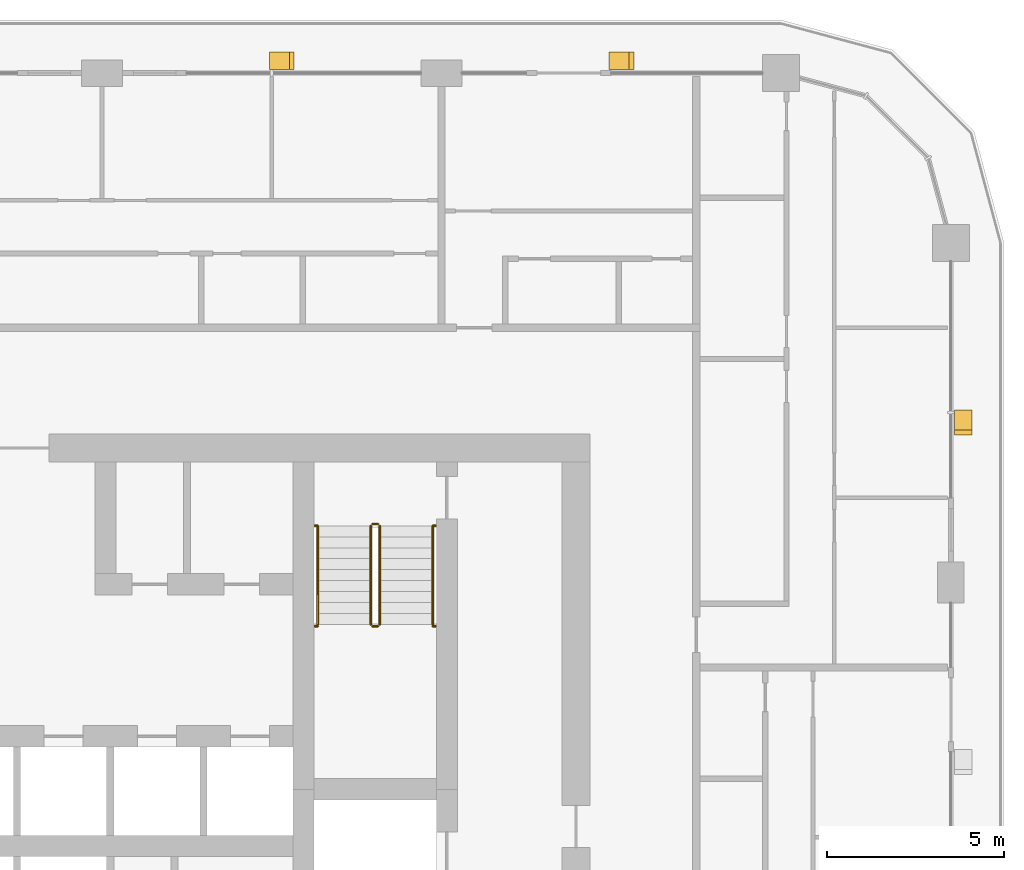
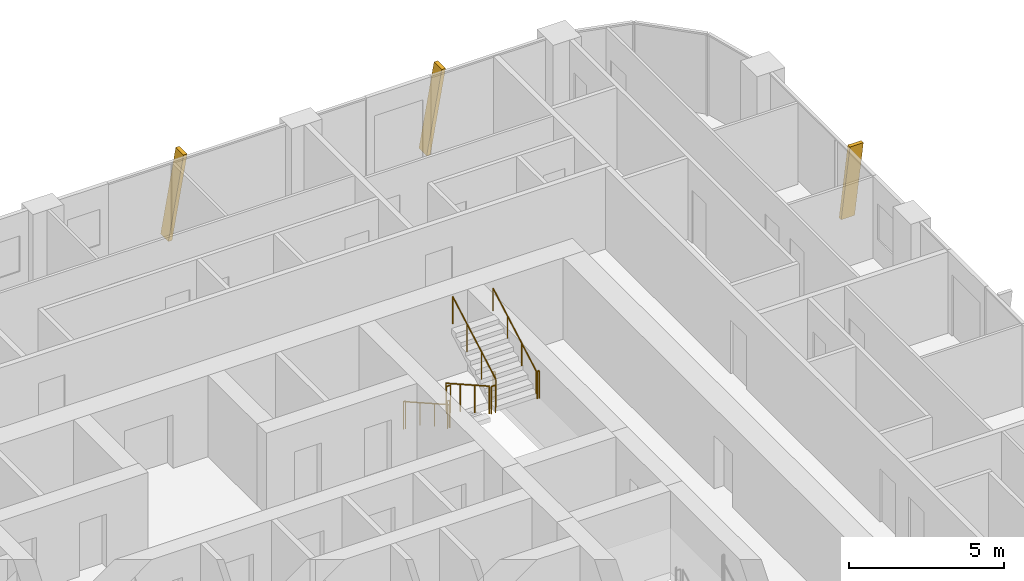
# One storey, part 22 of 22: 10 railings, 3 shading devices.
"""IFC4 building model written with IfcOpenShell, lengths in metres."""

from ifc_helpers import new_model, si_unit, direction, frame, origin, origin_2d, place, context, subcontext, project, spatial, polyline, circle, outline, extrude, material, type_object, element, save


model = new_model("IFC4")

# Units and contexts
model_context = context("Model", 3, precision=1e-05, world=origin(), true_north=direction((0.0, 1.0)))
body_context = subcontext(model_context, "Body", "Model", "MODEL_VIEW")
ifc_project = project(units=[si_unit("LENGTHUNIT", "METRE"), si_unit("AREAUNIT", "SQUARE_METRE"), si_unit("VOLUMEUNIT", "CUBIC_METRE"), si_unit("PLANEANGLEUNIT", "RADIAN"), si_unit("MASSUNIT", "GRAM", prefix="KILO")], contexts=[model_context])

# Site, building, storey
site_placement = place(None, origin())
site = spatial("IfcSite", under=ifc_project, at=site_placement, CompositionType="ELEMENT")
building_placement = place(site_placement, origin())
building = spatial("IfcBuilding", under=site, at=building_placement, Name="Madar Terraces", CompositionType="ELEMENT")
storey_placement = place(building_placement, frame((0.0, 0.0, 166.5)))
storey = spatial("IfcBuildingStorey", under=building, at=storey_placement, Name="L43", CompositionType="ELEMENT", Elevation=166.5)

# Shading devices
ifc_material_1 = material(Name="Aluminium, black anodised", Category="aluminium")
shading_device_type = type_object("IfcShadingDeviceType", Name="Facade fin blade 140 x 500", PredefinedType="USERDEFINED", material=ifc_material_1)
shading_device_1_placement = place(storey_placement, frame((57.949951171875, 38.330078125, 0.0), z_axis=(0.0, 0.0, 1.0), x_axis=(0.0, 1.0, 0.0)))
element("IfcShadingDevice", 1, at=shading_device_1_placement, inside=storey, type_object=shading_device_type, Name="FIN L43 E4", ObjectType="FIN", PredefinedType="USERDEFINED", context=body_context, shape_type="SweptSolid", body=[
    extrude(outline(polyline([(0.0, 0.0), (0.139892578125, 0.0), (-0.42431640625, 3.199951171875), (-0.564208984375, 3.199951171875), (0.0, 0.0)])), frame((0.0, 0.25, 0.0), z_axis=(0.0, -1.0, 0.0), x_axis=(1.0, 0.0, 0.0)), (0.0, 0.0, 1.0), 0.5),
])
shading_device_2_placement = place(storey_placement, frame((48.070068359375, 48.35009765625, 0.0), z_axis=(0.0, 0.0, 1.0), x_axis=(-1.0, 0.0, 0.0)))
element("IfcShadingDevice", 2, at=shading_device_2_placement, inside=storey, type_object=shading_device_type, Name="FIN L43 N1", ObjectType="FIN", PredefinedType="USERDEFINED", context=body_context, shape_type="SweptSolid", body=[
    extrude(outline(polyline([(0.0, 0.0), (0.14013671875, 0.0), (-0.42431640625, 3.199951171875), (-0.564208984375, 3.199951171875), (0.0, 0.0)])), frame((0.0, 0.25, 0.0), z_axis=(0.0, -1.0, 0.0), x_axis=(1.0, 0.0, 0.0)), (0.0, 0.0, 1.0), 0.5),
])
shading_device_3_placement = place(storey_placement, frame((38.469970703125, 48.35009765625, 0.0), z_axis=(0.0, 0.0, 1.0), x_axis=(-1.0, 0.0, 0.0)))
element("IfcShadingDevice", 3, at=shading_device_3_placement, inside=storey, type_object=shading_device_type, Name="FIN L43 N2", ObjectType="FIN", PredefinedType="USERDEFINED", context=body_context, shape_type="SweptSolid", body=[
    extrude(outline(polyline([(0.0, 0.0), (0.139892578125, 0.0), (-0.42431640625, 3.199951171875), (-0.564208984375, 3.199951171875), (0.0, 0.0)])), frame((0.0, 0.25, 0.0), z_axis=(0.0, -1.0, 0.0), x_axis=(1.0, 0.0, 0.0)), (0.0, 0.0, 1.0), 0.5),
])

# Railings
ifc_material_2 = material(Name="Stainless steel railing", Category="steel")
railing_type_1 = type_object("IfcRailingType", Name="Stair guard 1100", PredefinedType="GUARDRAIL", material=ifc_material_2)
railing_1_placement = place(storey_placement, frame((41.199951171875, 35.199951171875, 0.175048828125)))
element("IfcRailing", 4, at=railing_1_placement, inside=storey, type_object=railing_type_1, Name="L43 ST2 stair guard 1", PredefinedType="GUARDRAIL", context=body_context, shape_type="SweptSolid", body=[
    extrude(circle(Radius=0.02392578125, at=origin_2d()), frame((0.0, 0.0, 1.076171875), z_axis=(0.0, -0.870833779661, 0.491577591232), x_axis=(1.0, 0.0, 0.0)), (0.0, 0.0, 1.0), 3.203857421875),
    extrude(circle(Radius=0.02099609375, at=origin_2d()), origin(), (0.0, 0.0, 1.0), 1.052001953125),
    extrude(circle(Radius=0.02099609375, at=origin_2d()), frame((0.0, -0.929931640625, 0.52490234375)), (0.0, 0.0, 1.0), 1.052001953125),
    extrude(circle(Radius=0.02099609375, at=origin_2d()), frame((0.0, -1.860107421875, 1.050048828125)), (0.0, 0.0, 1.0), 1.052001953125),
    extrude(circle(Radius=0.02099609375, at=origin_2d()), frame((0.0, -2.7900390625, 1.574951171875)), (0.0, 0.0, 1.0), 1.052001953125),
])
railing_2_placement = place(storey_placement, frame((41.25, 32.360107421875, 1.75)))
element("IfcRailing", 5, at=railing_2_placement, inside=storey, type_object=railing_type_1, Name="L43 ST2 stair guard 2", PredefinedType="GUARDRAIL", context=body_context, shape_type="SweptSolid", body=[
    extrude(circle(Radius=0.02392578125, at=origin_2d()), frame((0.0, 0.0, 1.076171875), z_axis=(1.0, 0.0, 0.0), x_axis=(0.0, 1.0, 0.0)), (0.0, 0.0, 1.0), 0.14990234375),
    extrude(circle(Radius=0.02099609375, at=origin_2d()), origin(), (0.0, 0.0, 1.0), 1.052001953125),
    extrude(circle(Radius=0.02099609375, at=origin_2d()), frame((0.14990234375, 0.0, 0.0)), (0.0, 0.0, 1.0), 1.052001953125),
])
railing_3_placement = place(storey_placement, frame((41.449951171875, 32.409912109375, 1.925048828125)))
element("IfcRailing", 6, at=railing_3_placement, inside=storey, type_object=railing_type_1, Name="L43 ST2 stair guard 3", PredefinedType="GUARDRAIL", context=body_context, shape_type="SweptSolid", body=[
    extrude(circle(Radius=0.02392578125, at=origin_2d()), frame((0.0, 0.0, 1.076171875), z_axis=(0.0, 0.870833779661, 0.491577591232), x_axis=(-1.0, 0.0, 0.0)), (0.0, 0.0, 1.0), 3.203857421875),
    extrude(circle(Radius=0.02099609375, at=origin_2d()), origin(), (0.0, 0.0, 1.0), 1.052001953125),
    extrude(circle(Radius=0.02099609375, at=origin_2d()), frame((0.0, 0.929931640625, 0.52490234375)), (0.0, 0.0, 1.0), 1.052001953125),
    extrude(circle(Radius=0.02099609375, at=origin_2d()), frame((0.0, 1.860107421875, 1.050048828125)), (0.0, 0.0, 1.0), 1.052001953125),
    extrude(circle(Radius=0.02099609375, at=origin_2d()), frame((0.0, 2.7900390625, 1.574951171875)), (0.0, 0.0, 1.0), 1.052001953125),
])
railing_4_placement = place(storey_placement, frame((41.25, 35.25, 0.0)))
element("IfcRailing", 7, at=railing_4_placement, inside=storey, type_object=railing_type_1, Name="L43 ST2 stair guard 4", PredefinedType="GUARDRAIL", context=body_context, shape_type="SweptSolid", body=[
    extrude(circle(Radius=0.02392578125, at=origin_2d()), frame((0.0, 0.0, 1.076171875), z_axis=(1.0, 0.0, 0.0), x_axis=(0.0, 1.0, 0.0)), (0.0, 0.0, 1.0), 0.14990234375),
    extrude(circle(Radius=0.02099609375, at=origin_2d()), origin(), (0.0, 0.0, 1.0), 1.052001953125),
    extrude(circle(Radius=0.02099609375, at=origin_2d()), frame((0.14990234375, 0.0, 0.0)), (0.0, 0.0, 1.0), 1.052001953125),
])
railing_5_placement = place(storey_placement, frame((39.6201171875, 32.360107421875, 1.75)))
element("IfcRailing", 8, at=railing_5_placement, inside=storey, type_object=railing_type_1, Name="L43 stair guard seat 1", PredefinedType="GUARDRAIL", context=body_context, shape_type="SweptSolid", body=[
    extrude(circle(Radius=0.02392578125, at=origin_2d()), frame((0.0, 0.0, 1.076171875), z_axis=(1.0, 0.0, 0.0), x_axis=(0.0, 1.0, 0.0)), (0.0, 0.0, 1.0), 0.079833984375),
    extrude(circle(Radius=0.02099609375, at=origin_2d()), origin(), (0.0, 0.0, 1.0), 1.052001953125),
    extrude(circle(Radius=0.02099609375, at=origin_2d()), frame((0.079833984375, 0.0, 0.0)), (0.0, 0.0, 1.0), 1.052001953125),
])
railing_6_placement = place(storey_placement, frame((42.949951171875, 32.360107421875, 1.75)))
element("IfcRailing", 9, at=railing_6_placement, inside=storey, type_object=railing_type_1, Name="L43 stair guard seat 2", PredefinedType="GUARDRAIL", context=body_context, shape_type="SweptSolid", body=[
    extrude(circle(Radius=0.02392578125, at=origin_2d()), frame((0.0, 0.0, 1.076171875), z_axis=(1.0, 0.0, 0.0), x_axis=(0.0, 1.0, 0.0)), (0.0, 0.0, 1.0), 0.080078125),
    extrude(circle(Radius=0.02099609375, at=origin_2d()), origin(), (0.0, 0.0, 1.0), 1.052001953125),
    extrude(circle(Radius=0.02099609375, at=origin_2d()), frame((0.080078125, 0.0, 0.0)), (0.0, 0.0, 1.0), 1.052001953125),
])
railing_7_placement = place(storey_placement, frame((39.6201171875, 35.199951171875, 0.0)))
element("IfcRailing", 10, at=railing_7_placement, inside=storey, type_object=railing_type_1, Name="L43 stair guard floor 1", PredefinedType="GUARDRAIL", context=body_context, shape_type="SweptSolid", body=[
    extrude(circle(Radius=0.02392578125, at=origin_2d()), frame((0.0, 0.0, 1.076171875), z_axis=(1.0, 0.0, 0.0), x_axis=(0.0, 1.0, 0.0)), (0.0, 0.0, 1.0), 0.079833984375),
    extrude(circle(Radius=0.02099609375, at=origin_2d()), origin(), (0.0, 0.0, 1.0), 1.052001953125),
    extrude(circle(Radius=0.02099609375, at=origin_2d()), frame((0.079833984375, 0.0, 0.0)), (0.0, 0.0, 1.0), 1.052001953125),
])
railing_8_placement = place(storey_placement, frame((42.949951171875, 35.199951171875, 0.0)))
element("IfcRailing", 11, at=railing_8_placement, inside=storey, type_object=railing_type_1, Name="L43 stair guard floor 2", PredefinedType="GUARDRAIL", context=body_context, shape_type="SweptSolid", body=[
    extrude(circle(Radius=0.02392578125, at=origin_2d()), frame((0.0, 0.0, 1.076171875), z_axis=(1.0, 0.0, 0.0), x_axis=(0.0, 1.0, 0.0)), (0.0, 0.0, 1.0), 0.080078125),
    extrude(circle(Radius=0.02099609375, at=origin_2d()), origin(), (0.0, 0.0, 1.0), 1.052001953125),
    extrude(circle(Radius=0.02099609375, at=origin_2d()), frame((0.080078125, 0.0, 0.0)), (0.0, 0.0, 1.0), 1.052001953125),
])
ifc_material_3 = material(Name="Stainless steel railing", Category="steel")
railing_type_2 = type_object("IfcRailingType", Name="Stair handrail 900", PredefinedType="HANDRAIL", material=ifc_material_3)
railing_9_placement = place(storey_placement, frame((39.699951171875, 35.199951171875, 0.175048828125)))
element("IfcRailing", 12, at=railing_9_placement, inside=storey, type_object=railing_type_2, Name="L43 ST2 stair handrail 1", PredefinedType="HANDRAIL", context=body_context, shape_type="SweptSolid", body=[
    extrude(circle(Radius=0.02392578125, at=origin_2d()), frame((0.0, 0.0, 0.8759765625), z_axis=(0.0, -0.870833779661, 0.491577591232), x_axis=(1.0, 0.0, 0.0)), (0.0, 0.0, 1.0), 3.203857421875),
    extrude(circle(Radius=0.02099609375, at=origin_2d()), origin(), (0.0, 0.0, 1.0), 0.851806640625),
    extrude(circle(Radius=0.02099609375, at=origin_2d()), frame((0.0, -0.929931640625, 0.52490234375)), (0.0, 0.0, 1.0), 0.851806640625),
    extrude(circle(Radius=0.02099609375, at=origin_2d()), frame((0.0, -1.860107421875, 1.050048828125)), (0.0, 0.0, 1.0), 0.851806640625),
    extrude(circle(Radius=0.02099609375, at=origin_2d()), frame((0.0, -2.7900390625, 1.574951171875)), (0.0, 0.0, 1.0), 0.851806640625),
])
railing_10_placement = place(storey_placement, frame((42.949951171875, 32.409912109375, 1.925048828125)))
element("IfcRailing", 13, at=railing_10_placement, inside=storey, type_object=railing_type_2, Name="L43 ST2 stair handrail 2", PredefinedType="HANDRAIL", context=body_context, shape_type="SweptSolid", body=[
    extrude(circle(Radius=0.02392578125, at=origin_2d()), frame((0.0, 0.0, 0.8759765625), z_axis=(0.0, 0.870833779661, 0.491577591232), x_axis=(-1.0, 0.0, 0.0)), (0.0, 0.0, 1.0), 3.203857421875),
    extrude(circle(Radius=0.02099609375, at=origin_2d()), origin(), (0.0, 0.0, 1.0), 0.851806640625),
    extrude(circle(Radius=0.02099609375, at=origin_2d()), frame((0.0, 0.929931640625, 0.52490234375)), (0.0, 0.0, 1.0), 0.851806640625),
    extrude(circle(Radius=0.02099609375, at=origin_2d()), frame((0.0, 1.860107421875, 1.050048828125)), (0.0, 0.0, 1.0), 0.851806640625),
    extrude(circle(Radius=0.02099609375, at=origin_2d()), frame((0.0, 2.7900390625, 1.574951171875)), (0.0, 0.0, 1.0), 0.851806640625),
])

save(model, "model.ifc")
